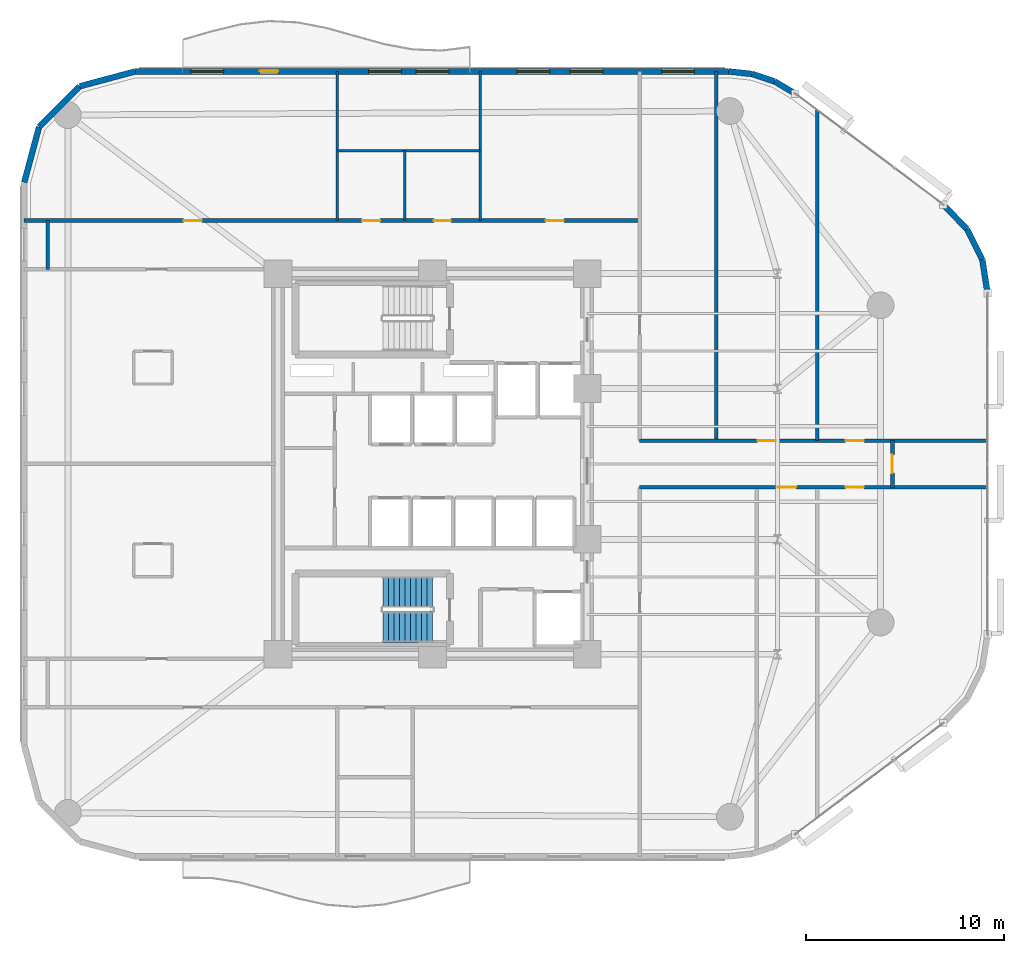
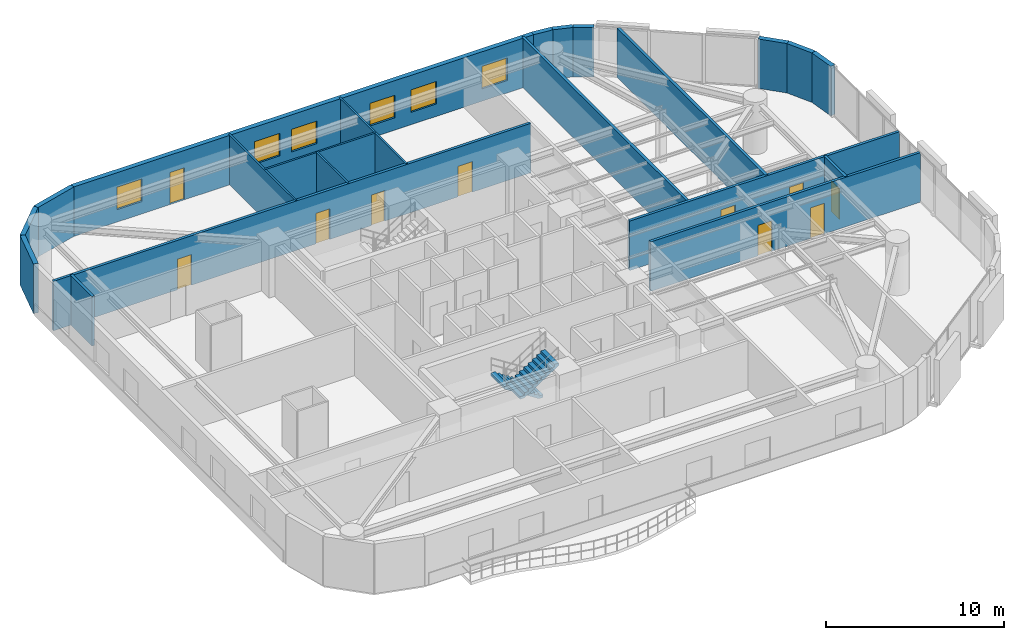
# One storey, part 12 of 16: 21 walls, 10 doors, 6 windows, 2 stair flights, 16 openings, 1 element without a shape of its own.
"""IFC4 building model written with IfcOpenShell, lengths in metres."""

from ifc_helpers import new_model, si_unit, direction, frame, frame_2d, origin, place, context, subcontext, project, spatial, polyline, rectangle, outline, extrude, material, layer, layer_set, type_object, element, fill, aggregate, save


model = new_model("IFC4")

# Units and contexts
model_context = context("Model", 3, precision=1e-05, world=origin(), true_north=direction((0.0, 1.0)))
body_context = subcontext(model_context, "Body", "Model", "MODEL_VIEW")
ifc_project = project(units=[si_unit("LENGTHUNIT", "METRE"), si_unit("AREAUNIT", "SQUARE_METRE"), si_unit("VOLUMEUNIT", "CUBIC_METRE"), si_unit("PLANEANGLEUNIT", "RADIAN"), si_unit("MASSUNIT", "GRAM", prefix="KILO")], contexts=[model_context])

# Site, building, storey
site_placement = place(None, origin())
site = spatial("IfcSite", under=ifc_project, at=site_placement, CompositionType="ELEMENT")
building_placement = place(site_placement, origin())
building = spatial("IfcBuilding", under=site, at=building_placement, Name="An Khanh Terracotta Commons", CompositionType="ELEMENT")
storey_placement = place(building_placement, frame((0.0, 0.0, 111.5)))
storey = spatial("IfcBuildingStorey", under=building, at=storey_placement, Name="L29", CompositionType="ELEMENT", Elevation=111.5)

# Wall, openings, doors
ifc_material_1 = material(Name="Fire-Rated Gypsum Board on Steel Stud", Category="steel")
ifc_layer_1 = layer(ifc_material_1, 0.179931640625, Name="Fire-Rated Gypsum Board on Steel Stud")
ifc_layer_set_1 = layer_set([ifc_layer_1], Name="Fire-Rated Gypsum Board on Steel Stud")
wall_type_1 = type_object("IfcWallType", Name="WALL-CORR-180", PredefinedType="PARTITIONING", material=ifc_layer_set_1)
wall_1_placement = place(storey_placement, frame((39.85009765625, 22.820068359375, 0.0), z_axis=(0.0, 0.0, 1.0), x_axis=(1.0, 0.0, 0.0)))
wall_1 = element("IfcWall", 1, at=wall_1_placement, inside=storey, type_object=wall_type_1, Name="L29 Interior Partition IW-L29-E004", PredefinedType="PARTITIONING", context=body_context, shape_type="SweptSolid", body=[
    extrude(rectangle(XDim=17.5498046875, YDim=0.179931640625, at=frame_2d((8.77490234375, 0.0))), origin(), (0.0, 0.0, 1.0), 3.39990234375),
])
opening_1_placement = place(wall_1_placement, frame((6.968017578125, 0.0, 0.0)))
opening_1 = element("IfcOpeningElement", 2, at=opening_1_placement, cuts=wall_1, Name="Opening D-RM", PredefinedType="OPENING", context=body_context, shape_type="SweptSolid", body=[
    extrude(rectangle(XDim=0.919921875, YDim=2.10009765625, at=frame_2d((0.4599609375, 1.050048828125))), frame((0.0, 0.099853515625, 0.0), z_axis=(0.0, -1.0, 0.0), x_axis=(1.0, 0.0, 0.0)), (0.0, 0.0, 1.0), 0.199951171875),
])
opening_2_placement = place(wall_1_placement, frame((10.389892578125, 0.0, 0.0)))
opening_2 = element("IfcOpeningElement", 3, at=opening_2_placement, cuts=wall_1, Name="Opening D-RM", PredefinedType="OPENING", context=body_context, shape_type="SweptSolid", body=[
    extrude(rectangle(XDim=0.919921875, YDim=2.10009765625, at=frame_2d((0.4599609375, 1.050048828125))), frame((0.0, 0.099853515625, 0.0), z_axis=(0.0, -1.0, 0.0), x_axis=(1.0, 0.0, 0.0)), (0.0, 0.0, 1.0), 0.199951171875),
])
ifc_material_2 = material(Name="Engineered Hardwood Timber Leaf", Category="wood")
door_type_1 = type_object("IfcDoorType", Name="DOOR-INT-920", OperationType="NOTDEFINED", PredefinedType="DOOR", material=ifc_material_2)
door_1_placement = place(opening_1_placement, origin())
door_1 = element("IfcDoor", 4, at=door_1_placement, inside=storey, type_object=door_type_1, Name="L29 SB2 Co-Living Master Bedroom Door", OperationType="SINGLE_SWING_RIGHT", OverallHeight=2.10009765625, OverallWidth=0.919921875, PredefinedType="DOOR", context=body_context, shape_type="SweptSolid", body=[
    extrude(rectangle(XDim=0.919921875, YDim=2.10009765625, at=frame_2d((0.4599609375, 1.050048828125))), frame((0.0, 0.02490234375, 0.0), z_axis=(0.0, -1.0, 0.0), x_axis=(1.0, 0.0, 0.0)), (0.0, 0.0, 1.0), 0.050048828125),
])
fill(opening_1, door_1)
door_2_placement = place(opening_2_placement, origin())
door_2 = element("IfcDoor", 5, at=door_2_placement, inside=storey, type_object=door_type_1, Name="L29 ENO2 Riverfront Reading Hall Door", OperationType="SINGLE_SWING_RIGHT", OverallHeight=2.10009765625, OverallWidth=0.919921875, PredefinedType="DOOR", context=body_context, shape_type="SweptSolid", body=[
    extrude(rectangle(XDim=0.919921875, YDim=2.10009765625, at=frame_2d((0.4599609375, 1.050048828125))), frame((0.0, 0.02490234375, 0.0), z_axis=(0.0, -1.0, 0.0), x_axis=(1.0, 0.0, 0.0)), (0.0, 0.0, 1.0), 0.050048828125),
])
fill(opening_2, door_2)

wall_2_placement = place(storey_placement, frame((39.85009765625, 25.179931640625, 0.0), z_axis=(0.0, 0.0, 1.0), x_axis=(1.0, 0.0, 0.0)))
wall_2 = element("IfcWall", 6, at=wall_2_placement, inside=storey, type_object=wall_type_1, Name="L29 Interior Partition IW-L29-E006", PredefinedType="PARTITIONING", context=body_context, shape_type="SweptSolid", body=[
    extrude(rectangle(XDim=17.5498046875, YDim=0.179931640625, at=frame_2d((8.77490234375, 0.0))), origin(), (0.0, 0.0, 1.0), 3.39990234375),
])
opening_3_placement = place(wall_2_placement, frame((5.944091796875, 0.0, 0.0)))
opening_3 = element("IfcOpeningElement", 7, at=opening_3_placement, cuts=wall_2, Name="Opening D-RM", PredefinedType="OPENING", context=body_context, shape_type="SweptSolid", body=[
    extrude(rectangle(XDim=0.919921875, YDim=2.10009765625, at=frame_2d((0.4599609375, 1.050048828125))), frame((0.0, 0.099853515625, 0.0), z_axis=(0.0, -1.0, 0.0), x_axis=(1.0, 0.0, 0.0)), (0.0, 0.0, 1.0), 0.199951171875),
])
opening_4_placement = place(wall_2_placement, frame((10.389892578125, 0.0, 0.0)))
opening_4 = element("IfcOpeningElement", 8, at=opening_4_placement, cuts=wall_2, Name="Opening D-RM", PredefinedType="OPENING", context=body_context, shape_type="SweptSolid", body=[
    extrude(rectangle(XDim=0.919921875, YDim=2.10009765625, at=frame_2d((0.4599609375, 1.050048828125))), frame((0.0, 0.099853515625, 0.0), z_axis=(0.0, -1.0, 0.0), x_axis=(1.0, 0.0, 0.0)), (0.0, 0.0, 1.0), 0.199951171875),
])
door_3_placement = place(opening_3_placement, origin())
door_3 = element("IfcDoor", 9, at=door_3_placement, inside=storey, type_object=door_type_1, Name="L29 NB2 Collaborative Study Lounge Door", OperationType="SINGLE_SWING_RIGHT", OverallHeight=2.10009765625, OverallWidth=0.919921875, PredefinedType="DOOR", context=body_context, shape_type="SweptSolid", body=[
    extrude(rectangle(XDim=0.919921875, YDim=2.10009765625, at=frame_2d((0.4599609375, 1.050048828125))), frame((0.0, 0.02490234375, 0.0), z_axis=(0.0, -1.0, 0.0), x_axis=(1.0, 0.0, 0.0)), (0.0, 0.0, 1.0), 0.050048828125),
])
fill(opening_3, door_3)
door_4_placement = place(opening_4_placement, origin())
door_4 = element("IfcDoor", 10, at=door_4_placement, inside=storey, type_object=door_type_1, Name="L29 ENO1 Quiet Focus Office Door", OperationType="SINGLE_SWING_LEFT", OverallHeight=2.10009765625, OverallWidth=0.919921875, PredefinedType="DOOR", context=body_context, shape_type="SweptSolid", body=[
    extrude(rectangle(XDim=0.919921875, YDim=2.10009765625, at=frame_2d((0.4599609375, 1.050048828125))), frame((0.0, 0.02490234375, 0.0), z_axis=(0.0, -1.0, 0.0), x_axis=(1.0, 0.0, 0.0)), (0.0, 0.0, 1.0), 0.050048828125),
])
fill(opening_4, door_4)

wall_3_placement = place(storey_placement, frame((8.800048828125, 36.280029296875, 0.0), z_axis=(0.0, 0.0, 1.0), x_axis=(1.0, 0.0, 0.0)))
wall_3 = element("IfcWall", 11, at=wall_3_placement, inside=storey, type_object=wall_type_1, Name="L29 Interior Partition IW-L29-E008", PredefinedType="PARTITIONING", context=body_context, shape_type="SweptSolid", body=[
    extrude(rectangle(XDim=31.050048828125, YDim=0.179931640625, at=frame_2d((15.52490234375, 0.0))), origin(), (0.0, 0.0, 1.0), 3.39990234375),
])
opening_5_placement = place(wall_3_placement, frame((17.050048828125, 0.0, 0.0)))
opening_5 = element("IfcOpeningElement", 12, at=opening_5_placement, cuts=wall_3, Name="Opening D-WC", PredefinedType="OPENING", context=body_context, shape_type="SweptSolid", body=[
    extrude(rectangle(XDim=0.89990234375, YDim=2.10009765625, at=frame_2d((0.449951171875, 1.050048828125))), frame((0.0, 0.099853515625, 0.0), z_axis=(0.0, -1.0, 0.0), x_axis=(1.0, 0.0, 0.0)), (0.0, 0.0, 1.0), 0.199951171875),
])
opening_6_placement = place(wall_3_placement, frame((20.669921875, 0.0, 0.0)))
opening_6 = element("IfcOpeningElement", 13, at=opening_6_placement, cuts=wall_3, Name="Opening D-ENS", PredefinedType="OPENING", context=body_context, shape_type="SweptSolid", body=[
    extrude(rectangle(XDim=0.860107421875, YDim=2.10009765625, at=frame_2d((0.43017578125, 1.050048828125))), frame((0.0, 0.099853515625, 0.0), z_axis=(0.0, -1.0, 0.0), x_axis=(1.0, 0.0, 0.0)), (0.0, 0.0, 1.0), 0.199951171875),
])
opening_7_placement = place(wall_3_placement, frame((8.0400390625, 0.0, 0.0)))
opening_7 = element("IfcOpeningElement", 14, at=opening_7_placement, cuts=wall_3, Name="Opening D-RM", PredefinedType="OPENING", context=body_context, shape_type="SweptSolid", body=[
    extrude(rectangle(XDim=0.919921875, YDim=2.10009765625, at=frame_2d((0.4599609375, 1.050048828125))), frame((0.0, 0.099853515625, 0.0), z_axis=(0.0, -1.0, 0.0), x_axis=(1.0, 0.0, 0.0)), (0.0, 0.0, 1.0), 0.199951171875),
])
opening_8_placement = place(wall_3_placement, frame((26.304931640625, 0.0, 0.0)))
opening_8 = element("IfcOpeningElement", 15, at=opening_8_placement, cuts=wall_3, Name="Opening D-RM", PredefinedType="OPENING", context=body_context, shape_type="SweptSolid", body=[
    extrude(rectangle(XDim=0.919921875, YDim=2.10009765625, at=frame_2d((0.4599609375, 1.050048828125))), frame((0.0, 0.099853515625, 0.0), z_axis=(0.0, -1.0, 0.0), x_axis=(1.0, 0.0, 0.0)), (0.0, 0.0, 1.0), 0.199951171875),
])
ifc_material_3 = material(Name="Moisture-Resistant Hardwood Timber Leaf", Category="wood")
door_type_2 = type_object("IfcDoorType", Name="DOOR-BATH-860", OperationType="NOTDEFINED", PredefinedType="DOOR", material=ifc_material_3)
door_5_placement = place(opening_6_placement, origin())
door_5 = element("IfcDoor", 16, at=door_5_placement, inside=storey, type_object=door_type_2, Name="L29 SHW Resident Shared Shower and Washroom Door", OperationType="SINGLE_SWING_LEFT", OverallHeight=2.10009765625, OverallWidth=0.860107421875, PredefinedType="DOOR", context=body_context, shape_type="SweptSolid", body=[
    extrude(rectangle(XDim=0.860107421875, YDim=2.10009765625, at=frame_2d((0.43017578125, 1.050048828125))), frame((0.0, 0.02490234375, 0.0), z_axis=(0.0, -1.0, 0.0), x_axis=(1.0, 0.0, 0.0)), (0.0, 0.0, 1.0), 0.050048828125),
])
fill(opening_6, door_5)
door_6_placement = place(opening_7_placement, origin())
door_6 = element("IfcDoor", 17, at=door_6_placement, inside=storey, type_object=door_type_1, Name="L29 NW1 Academic Seminar Room Door", OperationType="SINGLE_SWING_RIGHT", OverallHeight=2.10009765625, OverallWidth=0.919921875, PredefinedType="DOOR", context=body_context, shape_type="SweptSolid", body=[
    extrude(rectangle(XDim=0.919921875, YDim=2.10009765625, at=frame_2d((0.4599609375, 1.050048828125))), frame((0.0, 0.02490234375, 0.0), z_axis=(0.0, -1.0, 0.0), x_axis=(1.0, 0.0, 0.0)), (0.0, 0.0, 1.0), 0.050048828125),
])
fill(opening_7, door_6)
door_7_placement = place(opening_8_placement, origin())
door_7 = element("IfcDoor", 18, at=door_7_placement, inside=storey, type_object=door_type_1, Name="L29 NWE Boardroom Meeting Room Door", OperationType="SINGLE_SWING_LEFT", OverallHeight=2.10009765625, OverallWidth=0.919921875, PredefinedType="DOOR", context=body_context, shape_type="SweptSolid", body=[
    extrude(rectangle(XDim=0.919921875, YDim=2.10009765625, at=frame_2d((0.4599609375, 1.050048828125))), frame((0.0, 0.02490234375, 0.0), z_axis=(0.0, -1.0, 0.0), x_axis=(1.0, 0.0, 0.0)), (0.0, 0.0, 1.0), 0.050048828125),
])
fill(opening_8, door_7)
ifc_material_4 = material(Name="Laminate Moisture-Resistant Timber Leaf", Category="wood")
door_type_3 = type_object("IfcDoorType", Name="DOOR-WC-900", OperationType="NOTDEFINED", PredefinedType="DOOR", material=ifc_material_4)
door_8_placement = place(opening_5_placement, origin())
door_8 = element("IfcDoor", 19, at=door_8_placement, inside=storey, type_object=door_type_3, Name="L29 AWC Accessible WC Door", OperationType="SINGLE_SWING_RIGHT", OverallHeight=2.10009765625, OverallWidth=0.89990234375, PredefinedType="DOOR", context=body_context, shape_type="SweptSolid", body=[
    extrude(rectangle(XDim=0.89990234375, YDim=2.10009765625, at=frame_2d((0.449951171875, 1.050048828125))), frame((0.0, 0.02490234375, 0.0), z_axis=(0.0, -1.0, 0.0), x_axis=(1.0, 0.0, 0.0)), (0.0, 0.0, 1.0), 0.050048828125),
])
fill(opening_5, door_8)

# Walls
wall_4_placement = place(storey_placement, frame((10.0, 33.820068359375, 0.0), z_axis=(0.0, 0.0, 1.0), x_axis=(0.0, 1.0, 0.0)))
element("IfcWall", 20, at=wall_4_placement, inside=storey, type_object=wall_type_1, Name="L29 Interior Partition IW-L29-E011", PredefinedType="PARTITIONING", context=body_context, shape_type="SweptSolid", body=[
    extrude(rectangle(XDim=2.4599609375, YDim=0.179931640625, at=frame_2d((1.22998046875, 0.0))), origin(), (0.0, 0.0, 1.0), 3.39990234375),
])
wall_5_placement = place(storey_placement, frame((43.7080078125, 25.179931640625, 0.0), z_axis=(0.0, 0.0, 1.0), x_axis=(0.0, 1.0, 0.0)))
element("IfcWall", 21, at=wall_5_placement, inside=storey, type_object=wall_type_1, Name="L29 Interior Partition IW-L29-E019", PredefinedType="PARTITIONING", context=body_context, shape_type="SweptSolid", body=[
    extrude(rectangle(XDim=18.6201171875, YDim=0.179931640625, at=frame_2d((9.31005859375, 0.0))), origin(), (0.0, 0.0, 1.0), 3.39990234375),
])
wall_6_placement = place(storey_placement, frame((48.800048828125, 25.179931640625, 0.0), z_axis=(0.0, 0.0, 1.0), x_axis=(0.0, 1.0, 0.0)))
element("IfcWall", 22, at=wall_6_placement, inside=storey, type_object=wall_type_1, Name="L29 Interior Partition IW-L29-E022", PredefinedType="PARTITIONING", context=body_context, shape_type="SweptSolid", body=[
    extrude(rectangle(XDim=16.670166015625, YDim=0.179931640625, at=frame_2d((8.3349609375, 0.0))), origin(), (0.0, 0.0, 1.0), 3.39990234375),
])

# Wall, opening, door
wall_7_placement = place(storey_placement, frame((52.60009765625, 22.820068359375, 0.0), z_axis=(0.0, 0.0, 1.0), x_axis=(0.0, 1.0, 0.0)))
wall_7 = element("IfcWall", 23, at=wall_7_placement, inside=storey, type_object=wall_type_1, Name="L29 Interior Partition IW-L29-E023", PredefinedType="PARTITIONING", context=body_context, shape_type="SweptSolid", body=[
    extrude(rectangle(XDim=2.35986328125, YDim=0.179931640625, at=frame_2d((1.179931640625, 0.0))), origin(), (0.0, 0.0, 1.0), 3.39990234375),
])
opening_9_placement = place(wall_7_placement, frame((0.719970703125, 0.0, 0.0)))
opening_9 = element("IfcOpeningElement", 24, at=opening_9_placement, cuts=wall_7, Name="Opening D-RM", PredefinedType="OPENING", context=body_context, shape_type="SweptSolid", body=[
    extrude(rectangle(XDim=0.919921875, YDim=2.10009765625, at=frame_2d((0.4599609375, 1.050048828125))), frame((0.0, 0.099853515625, 0.0), z_axis=(0.0, -1.0, 0.0), x_axis=(1.0, 0.0, 0.0)), (0.0, 0.0, 1.0), 0.199951171875),
])
door_9_placement = place(opening_9_placement, origin())
door_9 = element("IfcDoor", 25, at=door_9_placement, inside=storey, type_object=door_type_1, Name="L29 ENO3 Quiet Focus Office Door", OperationType="SINGLE_SWING_LEFT", OverallHeight=2.10009765625, OverallWidth=0.919921875, PredefinedType="DOOR", context=body_context, shape_type="SweptSolid", body=[
    extrude(rectangle(XDim=0.919921875, YDim=2.10009765625, at=frame_2d((0.4599609375, 1.050048828125))), frame((0.0, 0.02490234375, 0.0), z_axis=(0.0, -1.0, 0.0), x_axis=(1.0, 0.0, 0.0)), (0.0, 0.0, 1.0), 0.050048828125),
])
fill(opening_9, door_9)

# Walls
ifc_material_5 = material(Name="Precast concrete C40/50", Category="concrete")
ifc_layer_2 = layer(ifc_material_5, 0.300048828125, Name="Precast concrete C40/50")
ifc_layer_set_2 = layer_set([ifc_layer_2], Name="Precast concrete C40/50")
wall_type_2 = type_object("IfcWallType", Name="WALL-EXT-300", PredefinedType="SOLIDWALL", material=ifc_layer_set_2)
wall_8_placement = place(storey_placement, frame((57.39990234375, 32.60009765625, 0.0), z_axis=(0.0, 0.0, 1.0), x_axis=(-0.153620989032, 0.988129845581, 0.0)))
element("IfcWall", 26, at=wall_8_placement, inside=storey, type_object=wall_type_2, Name="L29 Insulated Terracotta Exterior Wall 13", PredefinedType="SOLIDWALL", context=body_context, shape_type="SweptSolid", body=[
    extrude(rectangle(XDim=1.724365234375, YDim=0.300048828125, at=frame_2d((0.8623046875, 0.0))), origin(), (0.0, 0.0, 1.0), 3.39990234375),
])
for number, where, z_axis, x_axis, name in (
    (27, (57.135009765625, 34.303955078125, 0.0), (0.0, 0.0, 1.0), (-0.4472135955, 0.894427191, 0.0), "L29 Insulated Terracotta Exterior Wall 14"),
    (28, (56.364013671875, 35.845947265625, 0.0), (0.0, 0.0, 1.0), (-0.6983450845, 0.715761233201, 0.0), "L29 Insulated Terracotta Exterior Wall 15"),
):
    element("IfcWall", number, at=place(storey_placement, frame(where, z_axis=z_axis, x_axis=x_axis)), inside=storey, type_object=wall_type_2, Name=name, PredefinedType="SOLIDWALL", context=body_context, shape_type="SweptSolid", body=[
        extrude(rectangle(XDim=1.72412109375, YDim=0.300048828125, at=frame_2d((0.862060546875, 0.0))), origin(), (0.0, 0.0, 1.0), 3.39990234375),
    ])
wall_9_placement = place(storey_placement, frame((47.693115234375, 42.679931640625, 0.0), z_axis=(0.0, 0.0, 1.0), x_axis=(-0.859320591642, 0.511437308749, 0.0)))
element("IfcWall", 29, at=wall_9_placement, inside=storey, type_object=wall_type_2, Name="L29 Insulated Terracotta Exterior Wall 17", PredefinedType="SOLIDWALL", context=body_context, shape_type="SweptSolid", body=[
    extrude(rectangle(XDim=1.19873046875, YDim=0.300048828125, at=frame_2d((0.599365234375, 0.0))), origin(), (0.0, 0.0, 1.0), 3.39990234375),
])
wall_10_placement = place(storey_placement, frame((46.6630859375, 43.29296875, 0.0), z_axis=(0.0, 0.0, 1.0), x_axis=(-0.948744332129, 0.316044604847, 0.0)))
element("IfcWall", 30, at=wall_10_placement, inside=storey, type_object=wall_type_2, Name="L29 Insulated Terracotta Exterior Wall 18", PredefinedType="SOLIDWALL", context=body_context, shape_type="SweptSolid", body=[
    extrude(rectangle(XDim=1.19970703125, YDim=0.300048828125, at=frame_2d((0.599853515625, 0.0))), origin(), (0.0, 0.0, 1.0), 3.39990234375),
])
wall_11_placement = place(storey_placement, frame((45.52490234375, 43.672119140625, 0.0), z_axis=(0.0, 0.0, 1.0), x_axis=(-0.994289103787, 0.106720092254, 0.0)))
element("IfcWall", 31, at=wall_11_placement, inside=storey, type_object=wall_type_2, Name="L29 Insulated Terracotta Exterior Wall 19", PredefinedType="SOLIDWALL", context=body_context, shape_type="SweptSolid", body=[
    extrude(rectangle(XDim=1.19873046875, YDim=0.300048828125, at=frame_2d((0.599365234375, 0.0))), origin(), (0.0, 0.0, 1.0), 3.39990234375),
])

# Wall, openings, door, windows
wall_12_placement = place(storey_placement, frame((44.3330078125, 43.800048828125, 0.0), z_axis=(0.0, 0.0, 1.0), x_axis=(-1.0, 0.0, 0.0)))
wall_12 = element("IfcWall", 32, at=wall_12_placement, inside=storey, type_object=wall_type_2, Name="L29 Insulated Terracotta Exterior Wall 20", PredefinedType="SOLIDWALL", context=body_context, shape_type="SweptSolid", body=[
    extrude(rectangle(XDim=29.93310546875, YDim=0.300048828125, at=frame_2d((14.966552734375, 0.0))), origin(), (0.0, 0.0, 1.0), 3.39990234375),
])
opening_10_placement = place(wall_12_placement, frame((22.7080078125, 0.0, 0.0)))
opening_10 = element("IfcOpeningElement", 33, at=opening_10_placement, cuts=wall_12, Name="Opening D-BAL", PredefinedType="OPENING", context=body_context, shape_type="SweptSolid", body=[
    extrude(rectangle(XDim=0.949951171875, YDim=2.199951171875, at=frame_2d((0.47509765625, 1.10009765625))), frame((0.0, 0.159912109375, 0.0), z_axis=(0.0, -1.0, 0.0), x_axis=(1.0, 0.0, 0.0)), (0.0, 0.0, 1.0), 0.320068359375),
])
opening_11_placement = place(wall_12_placement, frame((1.72900390625, 0.0, 0.85009765625)))
opening_11 = element("IfcOpeningElement", 34, at=opening_11_placement, cuts=wall_12, Name="Opening W-02", PredefinedType="OPENING", context=body_context, shape_type="SweptSolid", body=[
    extrude(rectangle(XDim=1.64990234375, YDim=1.550048828125, at=frame_2d((0.824951171875, 0.77490234375))), frame((0.0, 0.159912109375, 0.0), z_axis=(0.0, -1.0, 0.0), x_axis=(1.0, 0.0, 0.0)), (0.0, 0.0, 1.0), 0.320068359375),
])
opening_12_placement = place(wall_12_placement, frame((6.341064453125, 0.0, 0.85009765625)))
opening_12 = element("IfcOpeningElement", 35, at=opening_12_placement, cuts=wall_12, Name="Opening W-02", PredefinedType="OPENING", context=body_context, shape_type="SweptSolid", body=[
    extrude(rectangle(XDim=1.64990234375, YDim=1.550048828125, at=frame_2d((0.824951171875, 0.77490234375))), frame((0.0, 0.159912109375, 0.0), z_axis=(0.0, -1.0, 0.0), x_axis=(1.0, 0.0, 0.0)), (0.0, 0.0, 1.0), 0.320068359375),
])
opening_13_placement = place(wall_12_placement, frame((9.02490234375, 0.0, 0.85009765625)))
opening_13 = element("IfcOpeningElement", 36, at=opening_13_placement, cuts=wall_12, Name="Opening W-02", PredefinedType="OPENING", context=body_context, shape_type="SweptSolid", body=[
    extrude(rectangle(XDim=1.64990234375, YDim=1.550048828125, at=frame_2d((0.824951171875, 0.77490234375))), frame((0.0, 0.159912109375, 0.0), z_axis=(0.0, -1.0, 0.0), x_axis=(1.0, 0.0, 0.0)), (0.0, 0.0, 1.0), 0.320068359375),
])
opening_14_placement = place(wall_12_placement, frame((14.10791015625, 0.0, 0.85009765625)))
opening_14 = element("IfcOpeningElement", 37, at=opening_14_placement, cuts=wall_12, Name="Opening W-02", PredefinedType="OPENING", context=body_context, shape_type="SweptSolid", body=[
    extrude(rectangle(XDim=1.64990234375, YDim=1.550048828125, at=frame_2d((0.824951171875, 0.77490234375))), frame((0.0, 0.159912109375, 0.0), z_axis=(0.0, -1.0, 0.0), x_axis=(1.0, 0.0, 0.0)), (0.0, 0.0, 1.0), 0.320068359375),
])
opening_15_placement = place(wall_12_placement, frame((16.508056640625, 0.0, 0.85009765625)))
opening_15 = element("IfcOpeningElement", 38, at=opening_15_placement, cuts=wall_12, Name="Opening W-02", PredefinedType="OPENING", context=body_context, shape_type="SweptSolid", body=[
    extrude(rectangle(XDim=1.64990234375, YDim=1.550048828125, at=frame_2d((0.824951171875, 0.77490234375))), frame((0.0, 0.159912109375, 0.0), z_axis=(0.0, -1.0, 0.0), x_axis=(1.0, 0.0, 0.0)), (0.0, 0.0, 1.0), 0.320068359375),
])
opening_16_placement = place(wall_12_placement, frame((25.47509765625, 0.0, 0.85009765625)))
opening_16 = element("IfcOpeningElement", 39, at=opening_16_placement, cuts=wall_12, Name="Opening W-02", PredefinedType="OPENING", context=body_context, shape_type="SweptSolid", body=[
    extrude(rectangle(XDim=1.64990234375, YDim=1.550048828125, at=frame_2d((0.824951171875, 0.77490234375))), frame((0.0, 0.159912109375, 0.0), z_axis=(0.0, -1.0, 0.0), x_axis=(1.0, 0.0, 0.0)), (0.0, 0.0, 1.0), 0.320068359375),
])
ifc_material_6 = material(Name="Thermally Broken Aluminium and Low-E Glass", Category="aluminium")
door_type_4 = type_object("IfcDoorType", Name="DOOR-BALC-950", OperationType="NOTDEFINED", PredefinedType="DOOR", material=ifc_material_6)
door_10_placement = place(opening_10_placement, origin())
door_10 = element("IfcDoor", 40, at=door_10_placement, inside=storey, type_object=door_type_4, Name="L29 N Wave Balcony Glazed Door", OperationType="SINGLE_SWING_RIGHT", OverallHeight=2.199951171875, OverallWidth=0.949951171875, PredefinedType="DOOR", context=body_context, shape_type="SweptSolid", body=[
    extrude(rectangle(XDim=0.949951171875, YDim=2.199951171875, at=frame_2d((0.47509765625, 1.10009765625))), frame((0.0, 0.02490234375, 0.0), z_axis=(0.0, -1.0, 0.0), x_axis=(1.0, 0.0, 0.0)), (0.0, 0.0, 1.0), 0.050048828125),
])
fill(opening_10, door_10)
window_type = type_object("IfcWindowType", Name="WIN-Z2-1650x1550", PartitioningType="DOUBLE_PANEL_VERTICAL", PredefinedType="WINDOW", material=ifc_material_6)
window_1_placement = place(opening_11_placement, origin())
window_1 = element("IfcWindow", 41, at=window_1_placement, inside=storey, type_object=window_type, Name="L29 Operable Casement Window 20.1", OverallHeight=1.550048828125, OverallWidth=1.64990234375, PartitioningType="DOUBLE_PANEL_VERTICAL", PredefinedType="WINDOW", context=body_context, shape_type="SweptSolid", body=[
    extrude(rectangle(XDim=1.64990234375, YDim=1.550048828125, at=frame_2d((0.824951171875, 0.77490234375))), frame((0.0, 0.030029296875, 0.0), z_axis=(0.0, -1.0, 0.0), x_axis=(1.0, 0.0, 0.0)), (0.0, 0.0, 1.0), 0.06005859375),
])
fill(opening_11, window_1)
window_2_placement = place(opening_12_placement, origin())
window_2 = element("IfcWindow", 42, at=window_2_placement, inside=storey, type_object=window_type, Name="L29 Operable Casement Window 20.2", OverallHeight=1.550048828125, OverallWidth=1.64990234375, PartitioningType="DOUBLE_PANEL_VERTICAL", PredefinedType="WINDOW", context=body_context, shape_type="SweptSolid", body=[
    extrude(rectangle(XDim=1.64990234375, YDim=1.550048828125, at=frame_2d((0.824951171875, 0.77490234375))), frame((0.0, 0.030029296875, 0.0), z_axis=(0.0, -1.0, 0.0), x_axis=(1.0, 0.0, 0.0)), (0.0, 0.0, 1.0), 0.06005859375),
])
fill(opening_12, window_2)
window_3_placement = place(opening_13_placement, origin())
window_3 = element("IfcWindow", 43, at=window_3_placement, inside=storey, type_object=window_type, Name="L29 Operable Casement Window 20.3", OverallHeight=1.550048828125, OverallWidth=1.64990234375, PartitioningType="DOUBLE_PANEL_VERTICAL", PredefinedType="WINDOW", context=body_context, shape_type="SweptSolid", body=[
    extrude(rectangle(XDim=1.64990234375, YDim=1.550048828125, at=frame_2d((0.824951171875, 0.77490234375))), frame((0.0, 0.030029296875, 0.0), z_axis=(0.0, -1.0, 0.0), x_axis=(1.0, 0.0, 0.0)), (0.0, 0.0, 1.0), 0.06005859375),
])
fill(opening_13, window_3)
window_4_placement = place(opening_14_placement, origin())
window_4 = element("IfcWindow", 44, at=window_4_placement, inside=storey, type_object=window_type, Name="L29 Operable Casement Window 20.4", OverallHeight=1.550048828125, OverallWidth=1.64990234375, PartitioningType="DOUBLE_PANEL_VERTICAL", PredefinedType="WINDOW", context=body_context, shape_type="SweptSolid", body=[
    extrude(rectangle(XDim=1.64990234375, YDim=1.550048828125, at=frame_2d((0.824951171875, 0.77490234375))), frame((0.0, 0.030029296875, 0.0), z_axis=(0.0, -1.0, 0.0), x_axis=(1.0, 0.0, 0.0)), (0.0, 0.0, 1.0), 0.06005859375),
])
fill(opening_14, window_4)
window_5_placement = place(opening_15_placement, origin())
window_5 = element("IfcWindow", 45, at=window_5_placement, inside=storey, type_object=window_type, Name="L29 Operable Casement Window 20.5", OverallHeight=1.550048828125, OverallWidth=1.64990234375, PartitioningType="DOUBLE_PANEL_VERTICAL", PredefinedType="WINDOW", context=body_context, shape_type="SweptSolid", body=[
    extrude(rectangle(XDim=1.64990234375, YDim=1.550048828125, at=frame_2d((0.824951171875, 0.77490234375))), frame((0.0, 0.030029296875, 0.0), z_axis=(0.0, -1.0, 0.0), x_axis=(1.0, 0.0, 0.0)), (0.0, 0.0, 1.0), 0.06005859375),
])
fill(opening_15, window_5)
window_6_placement = place(opening_16_placement, origin())
window_6 = element("IfcWindow", 46, at=window_6_placement, inside=storey, type_object=window_type, Name="L29 Operable Casement Window 20.6", OverallHeight=1.550048828125, OverallWidth=1.64990234375, PartitioningType="DOUBLE_PANEL_VERTICAL", PredefinedType="WINDOW", context=body_context, shape_type="SweptSolid", body=[
    extrude(rectangle(XDim=1.64990234375, YDim=1.550048828125, at=frame_2d((0.824951171875, 0.77490234375))), frame((0.0, 0.030029296875, 0.0), z_axis=(0.0, -1.0, 0.0), x_axis=(1.0, 0.0, 0.0)), (0.0, 0.0, 1.0), 0.06005859375),
])
fill(opening_16, window_6)

# Walls
wall_13_placement = place(storey_placement, frame((14.39990234375, 43.800048828125, 0.0), z_axis=(0.0, 0.0, 1.0), x_axis=(-0.965943540406, -0.258752926066, 0.0)))
element("IfcWall", 47, at=wall_13_placement, inside=storey, type_object=wall_type_2, Name="L29 Insulated Terracotta Exterior Wall 21", PredefinedType="SOLIDWALL", context=body_context, shape_type="SweptSolid", body=[
    extrude(rectangle(XDim=2.8984375, YDim=0.300048828125, at=frame_2d((1.44921875, 0.0))), origin(), (0.0, 0.0, 1.0), 3.39990234375),
])
wall_14_placement = place(storey_placement, frame((11.60009765625, 43.050048828125, 0.0), z_axis=(0.0, 0.0, 1.0), x_axis=(-0.707106781187, -0.707106781187, 0.0)))
element("IfcWall", 48, at=wall_14_placement, inside=storey, type_object=wall_type_2, Name="L29 Insulated Terracotta Exterior Wall 22", PredefinedType="SOLIDWALL", context=body_context, shape_type="SweptSolid", body=[
    extrude(rectangle(XDim=2.899169921875, YDim=0.300048828125, at=frame_2d((1.44970703125, 0.0))), origin(), (0.0, 0.0, 1.0), 3.39990234375),
])
wall_15_placement = place(storey_placement, frame((9.550048828125, 41.0, 0.0), z_axis=(0.0, 0.0, 1.0), x_axis=(-0.258731875344, -0.96594917914, 0.0)))
element("IfcWall", 49, at=wall_15_placement, inside=storey, type_object=wall_type_2, Name="L29 Insulated Terracotta Exterior Wall 23", PredefinedType="SOLIDWALL", context=body_context, shape_type="SweptSolid", body=[
    extrude(rectangle(XDim=2.898681640625, YDim=0.300048828125, at=frame_2d((1.44921875, 0.0))), origin(), (0.0, 0.0, 1.0), 3.39990234375),
])
ifc_material_7 = material(Name="Moisture-Resistant Cement Board Partition")
ifc_layer_3 = layer(ifc_material_7, 0.1201171875, Name="Moisture-Resistant Cement Board Partition")
ifc_layer_set_3 = layer_set([ifc_layer_3], Name="Moisture-Resistant Cement Board Partition")
wall_type_3 = type_object("IfcWallType", Name="WALL-WET-120", PredefinedType="PARTITIONING", material=ifc_layer_set_3)
wall_16_placement = place(storey_placement, frame((24.60009765625, 39.800048828125, 0.0), z_axis=(0.0, 0.0, 1.0), x_axis=(1.0, 0.0, 0.0)))
element("IfcWall", 50, at=wall_16_placement, inside=storey, type_object=wall_type_3, Name="L29 Interior Partition IW-L29-E009", PredefinedType="PARTITIONING", context=body_context, shape_type="SweptSolid", body=[
    extrude(rectangle(XDim=7.199951171875, YDim=0.1201171875, at=frame_2d((3.60009765625, 0.0))), origin(), (0.0, 0.0, 1.0), 3.39990234375),
])
wall_17_placement = place(storey_placement, frame((24.60009765625, 36.280029296875, 0.0), z_axis=(0.0, 0.0, 1.0), x_axis=(0.0, 1.0, 0.0)))
element("IfcWall", 51, at=wall_17_placement, inside=storey, type_object=wall_type_3, Name="L29 Interior Partition IW-L29-E013", PredefinedType="PARTITIONING", context=body_context, shape_type="SweptSolid", body=[
    extrude(rectangle(XDim=7.52001953125, YDim=0.1201171875, at=frame_2d((3.760009765625, 0.0))), origin(), (0.0, 0.0, 1.0), 3.39990234375),
])
wall_18_placement = place(storey_placement, frame((28.0, 36.280029296875, 0.0), z_axis=(0.0, 0.0, 1.0), x_axis=(0.0, 1.0, 0.0)))
element("IfcWall", 52, at=wall_18_placement, inside=storey, type_object=wall_type_3, Name="L29 Interior Partition IW-L29-E014", PredefinedType="PARTITIONING", context=body_context, shape_type="SweptSolid", body=[
    extrude(rectangle(XDim=3.52001953125, YDim=0.1201171875, at=frame_2d((1.760009765625, 0.0))), origin(), (0.0, 0.0, 1.0), 3.39990234375),
])
wall_19_placement = place(storey_placement, frame((31.800048828125, 36.280029296875, 0.0), z_axis=(0.0, 0.0, 1.0), x_axis=(0.0, 1.0, 0.0)))
element("IfcWall", 53, at=wall_19_placement, inside=storey, type_object=wall_type_3, Name="L29 Interior Partition IW-L29-E016", PredefinedType="PARTITIONING", context=body_context, shape_type="SweptSolid", body=[
    extrude(rectangle(XDim=7.52001953125, YDim=0.1201171875, at=frame_2d((3.760009765625, 0.0))), origin(), (0.0, 0.0, 1.0), 3.39990234375),
])

# Stair, stair flights
stair_type = type_object("IfcStairType", Name="STAIR-CORE-1550", PredefinedType="HALF_TURN_STAIR", material=ifc_material_5)
stair_placement = place(storey_placement, origin())
stair = element("IfcStair", 54, at=stair_placement, inside=storey, type_object=stair_type, Name="L29 Core Smokeproof Exit Stair ST-02", PredefinedType="HALF_TURN_STAIR")
stair_flight_type = type_object("IfcStairFlightType", Name="FLIGHT-CORE-1550", PredefinedType="STRAIGHT", material=ifc_material_5)
stair_flight_1_placement = place(storey_placement, frame((29.409912109375, 17.52490234375, 0.0), z_axis=(0.0, 0.0, 1.0), x_axis=(-1.0, 0.0, 0.0)))
stair_flight_1 = element("IfcStairFlight", 55, at=stair_flight_1_placement, type_object=stair_flight_type, Name="ST-02 flight 1", NumberOfRisers=10, NumberOfTreads=9, PredefinedType="STRAIGHT", RiserHeight=0.18, TreadLength=0.28, context=body_context, shape_type="SweptSolid", body=[
    extrude(outline(polyline([(0.0, 0.0), (0.0, 0.179931640625), (0.280029296875, 0.179931640625), (0.280029296875, 0.360107421875), (0.56005859375, 0.360107421875), (0.56005859375, 0.5400390625), (0.840087890625, 0.5400390625), (0.840087890625, 0.719970703125), (1.1201171875, 0.719970703125), (1.1201171875, 0.89990234375), (1.39990234375, 0.89990234375), (1.39990234375, 1.080078125), (1.679931640625, 1.080078125), (1.679931640625, 1.260009765625), (1.9599609375, 1.260009765625), (1.9599609375, 1.43994140625), (2.239990234375, 1.43994140625), (2.239990234375, 1.6201171875), (2.52001953125, 1.6201171875), (2.52001953125, 1.800048828125), (2.52001953125, 1.44189453125), (0.277099609375, 0.0), (0.0, 0.0)])), frame((0.0, 0.77490234375, 0.0), z_axis=(0.0, -1.0, 0.0), x_axis=(1.0, 0.0, 0.0)), (0.0, 0.0, 1.0), 1.550048828125),
])
stair_flight_2_placement = place(storey_placement, frame((26.889892578125, 15.77490234375, 1.800048828125), z_axis=(0.0, 0.0, 1.0), x_axis=(1.0, 0.0, 0.0)))
stair_flight_2 = element("IfcStairFlight", 56, at=stair_flight_2_placement, type_object=stair_flight_type, Name="ST-02 flight 2", NumberOfRisers=10, NumberOfTreads=9, PredefinedType="STRAIGHT", RiserHeight=0.18, TreadLength=0.28, context=body_context, shape_type="SweptSolid", body=[
    extrude(outline(polyline([(0.0, 0.0), (0.0, 0.179931640625), (0.280029296875, 0.179931640625), (0.280029296875, 0.360107421875), (0.56005859375, 0.360107421875), (0.56005859375, 0.5400390625), (0.840087890625, 0.5400390625), (0.840087890625, 0.719970703125), (1.1201171875, 0.719970703125), (1.1201171875, 0.89990234375), (1.39990234375, 0.89990234375), (1.39990234375, 1.080078125), (1.679931640625, 1.080078125), (1.679931640625, 1.260009765625), (1.9599609375, 1.260009765625), (1.9599609375, 1.43994140625), (2.239990234375, 1.43994140625), (2.239990234375, 1.6201171875), (2.52001953125, 1.6201171875), (2.52001953125, 1.800048828125), (2.52001953125, 1.44189453125), (0.277099609375, 0.0), (0.0, 0.0)])), frame((0.0, 0.77490234375, 0.0), z_axis=(0.0, -1.0, 0.0), x_axis=(1.0, 0.0, 0.0)), (0.0, 0.0, 1.0), 1.550048828125),
])
aggregate(stair, [stair_flight_1, stair_flight_2])

save(model, "model.ifc")
